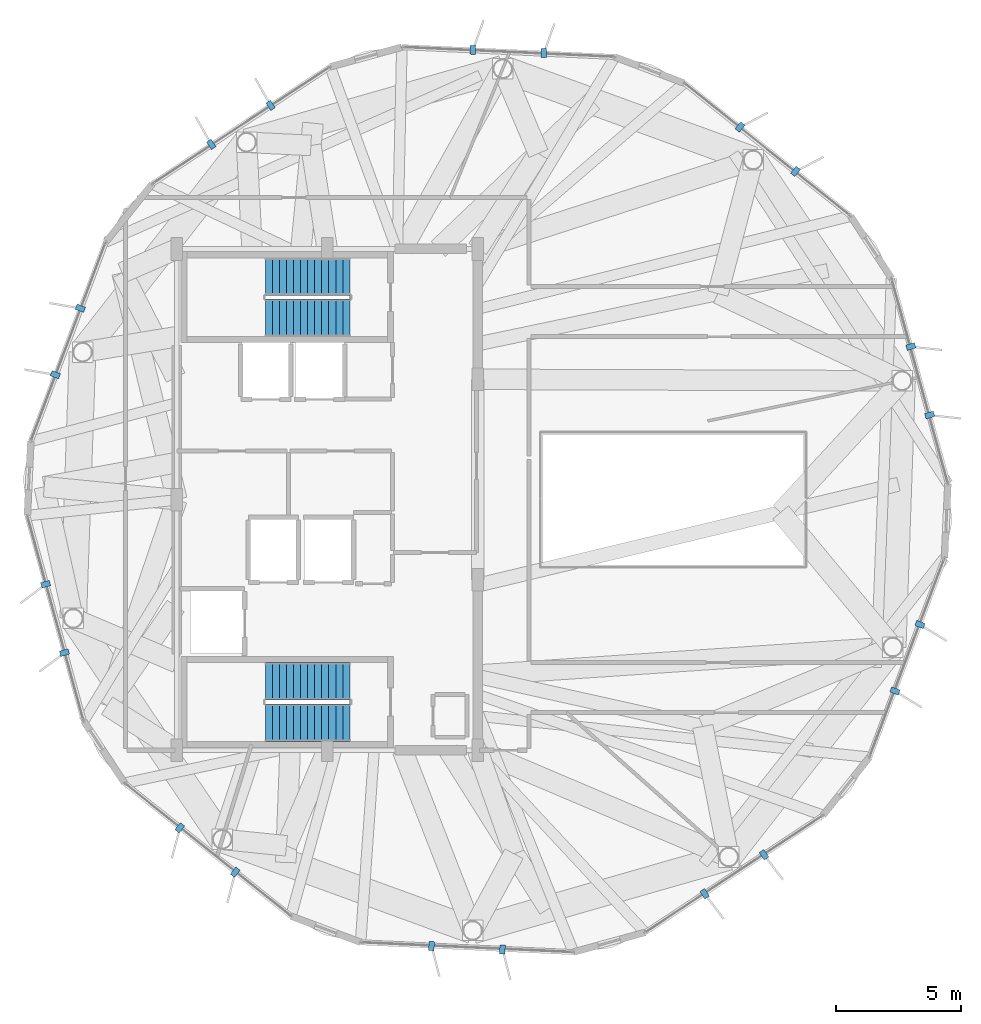
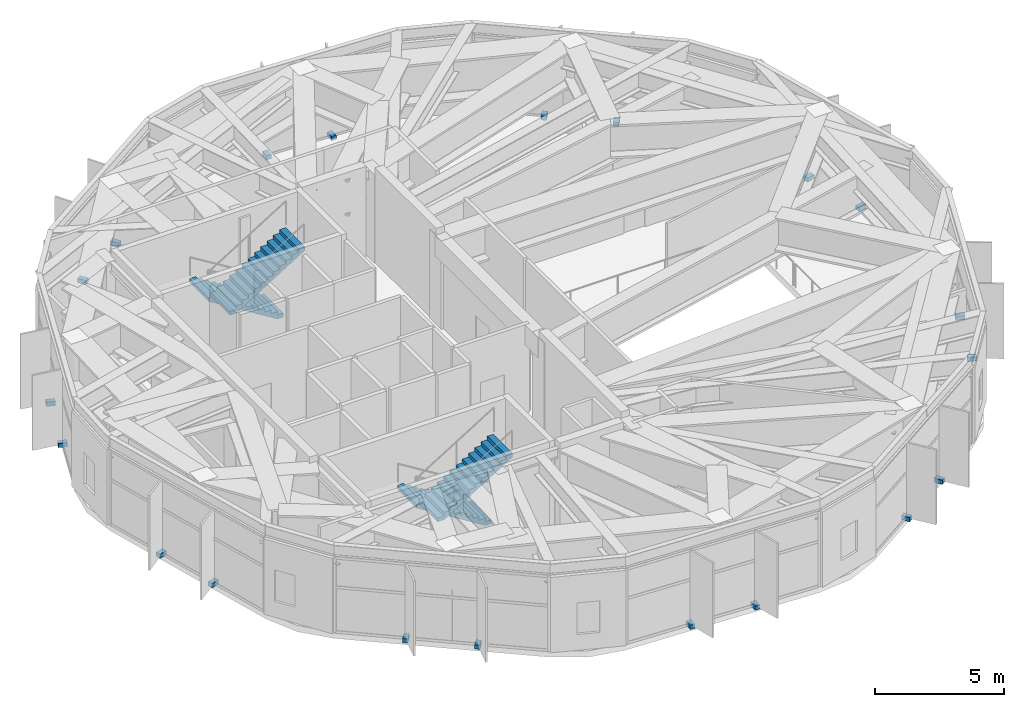
# One storey, part 24 of 27: 20 discrete accessories, 4 stair flights, 2 elements without a shape of their own.
"""IFC4 building model written with IfcOpenShell, lengths in metres."""

from ifc_helpers import new_model, si_unit, direction, frame, origin, origin_2d, place, context, subcontext, project, spatial, polyline, rectangle, outline, extrude, material, layer, layer_set, type_object, element, aggregate, save


model = new_model("IFC4")

# Units and contexts
model_context = context("Model", 3, precision=1e-05, world=origin(), true_north=direction((0.0, 1.0)))
body_context = subcontext(model_context, "Body", "Model", "MODEL_VIEW")
ifc_project = project(units=[si_unit("LENGTHUNIT", "METRE"), si_unit("AREAUNIT", "SQUARE_METRE"), si_unit("VOLUMEUNIT", "CUBIC_METRE"), si_unit("PLANEANGLEUNIT", "RADIAN"), si_unit("MASSUNIT", "GRAM", prefix="KILO")], contexts=[model_context])

# Site, building, storey
site_placement = place(None, origin())
site = spatial("IfcSite", under=ifc_project, at=site_placement, CompositionType="ELEMENT")
building_placement = place(site_placement, origin())
building = spatial("IfcBuilding", under=site, at=building_placement, Name="Soratama Intermodal Tower", CompositionType="ELEMENT")
storey_placement = place(building_placement, frame((0.0, 0.0, 288.550048828125)))
storey = spatial("IfcBuildingStorey", under=building, at=storey_placement, Name="L73", CompositionType="ELEMENT", Elevation=288.550048828125)

# Stair, stair flights
ifc_material_1 = material(Name="Concrete f'c 42 MPa", Category="concrete")
stair_type = type_object("IfcStairType", Name="ST-CORE-DOGLEG", PredefinedType="HALF_TURN_STAIR", material=ifc_material_1)
stair_1_placement = place(storey_placement, origin())
stair_1 = element("IfcStair", 1, at=stair_1_placement, inside=storey, type_object=stair_type, Name="L73 ST-1", PredefinedType="HALF_TURN_STAIR")
ifc_material_2 = material(Name="Precast concrete f'c 40 MPa", Category="concrete")
ifc_layer = layer(ifc_material_2, 0.199951171875)
ifc_layer_set = layer_set([ifc_layer], Name="Precast concrete f'c 40 MPa")
stair_flight_type = type_object("IfcStairFlightType", Name="SF-FLIGHT-RC", PredefinedType="STRAIGHT", material=ifc_layer_set)
stair_flight_1_placement = place(storey_placement, frame((39.5, 17.75, 0.0), z_axis=(0.0, 0.0, 1.0), x_axis=(-1.0, 0.0, 0.0)))
stair_flight_1 = element("IfcStairFlight", 2, at=stair_flight_1_placement, type_object=stair_flight_type, Name="ST-1 flight 1", NumberOfRisers=13, NumberOfTreads=12, PredefinedType="STRAIGHT", RiserHeight=0.173076923, TreadLength=0.28, context=body_context, shape_type="SweptSolid", body=[
    extrude(outline(polyline([(0.0, 0.0), (0.0, 0.173095703125), (0.280029296875, 0.173095703125), (0.280029296875, 0.34619140625), (0.56005859375, 0.34619140625), (0.56005859375, 0.519287109375), (0.840087890625, 0.519287109375), (0.840087890625, 0.6923828125), (1.1201171875, 0.6923828125), (1.1201171875, 0.865478515625), (1.39990234375, 0.865478515625), (1.39990234375, 1.03857421875), (1.679931640625, 1.03857421875), (1.679931640625, 1.21142578125), (1.9599609375, 1.21142578125), (1.9599609375, 1.384521484375), (2.239990234375, 1.384521484375), (2.239990234375, 1.5576171875), (2.52001953125, 1.5576171875), (2.52001953125, 1.730712890625), (2.800048828125, 1.730712890625), (2.800048828125, 1.90380859375), (3.080078125, 1.90380859375), (3.080078125, 2.076904296875), (3.360107421875, 2.076904296875), (3.360107421875, 2.25), (3.360107421875, 1.900634765625), (0.28515625, 0.0), (0.0, 0.0)])), frame((0.0, 0.75, 0.0), z_axis=(0.0, -1.0, 0.0), x_axis=(1.0, 0.0, 0.0)), (0.0, 0.0, 1.0), 1.5),
])
stair_flight_2_placement = place(storey_placement, frame((36.139892578125, 16.10009765625, 2.25), z_axis=(0.0, 0.0, 1.0), x_axis=(1.0, 0.0, 0.0)))
stair_flight_2 = element("IfcStairFlight", 3, at=stair_flight_2_placement, type_object=stair_flight_type, Name="ST-1 flight 2", NumberOfRisers=13, NumberOfTreads=12, PredefinedType="STRAIGHT", RiserHeight=0.173076923, TreadLength=0.28, context=body_context, shape_type="SweptSolid", body=[
    extrude(outline(polyline([(0.0, 0.0), (0.0, 0.173095703125), (0.280029296875, 0.173095703125), (0.280029296875, 0.34619140625), (0.56005859375, 0.34619140625), (0.56005859375, 0.519287109375), (0.840087890625, 0.519287109375), (0.840087890625, 0.6923828125), (1.1201171875, 0.6923828125), (1.1201171875, 0.865478515625), (1.39990234375, 0.865478515625), (1.39990234375, 1.03857421875), (1.679931640625, 1.03857421875), (1.679931640625, 1.21142578125), (1.9599609375, 1.21142578125), (1.9599609375, 1.384521484375), (2.239990234375, 1.384521484375), (2.239990234375, 1.5576171875), (2.52001953125, 1.5576171875), (2.52001953125, 1.730712890625), (2.800048828125, 1.730712890625), (2.800048828125, 1.90380859375), (3.080078125, 1.90380859375), (3.080078125, 2.076904296875), (3.360107421875, 2.076904296875), (3.360107421875, 2.25), (3.360107421875, 1.900634765625), (0.28515625, 0.0), (0.0, 0.0)])), frame((0.0, 0.75, 0.0), z_axis=(0.0, -1.0, 0.0), x_axis=(1.0, 0.0, 0.0)), (0.0, 0.0, 1.0), 1.5),
])
aggregate(stair_1, [stair_flight_1, stair_flight_2])

stair_2_placement = place(storey_placement, origin())
stair_2 = element("IfcStair", 4, at=stair_2_placement, inside=storey, type_object=stair_type, Name="L73 ST-2", PredefinedType="HALF_TURN_STAIR")
stair_flight_3_placement = place(storey_placement, frame((39.5, 33.89990234375, 0.0), z_axis=(0.0, 0.0, 1.0), x_axis=(-1.0, 0.0, 0.0)))
stair_flight_3 = element("IfcStairFlight", 5, at=stair_flight_3_placement, type_object=stair_flight_type, Name="ST-2 flight 1", NumberOfRisers=13, NumberOfTreads=12, PredefinedType="STRAIGHT", RiserHeight=0.173076923, TreadLength=0.28, context=body_context, shape_type="SweptSolid", body=[
    extrude(outline(polyline([(0.0, 0.0), (0.0, 0.173095703125), (0.280029296875, 0.173095703125), (0.280029296875, 0.34619140625), (0.56005859375, 0.34619140625), (0.56005859375, 0.519287109375), (0.840087890625, 0.519287109375), (0.840087890625, 0.6923828125), (1.1201171875, 0.6923828125), (1.1201171875, 0.865478515625), (1.39990234375, 0.865478515625), (1.39990234375, 1.03857421875), (1.679931640625, 1.03857421875), (1.679931640625, 1.21142578125), (1.9599609375, 1.21142578125), (1.9599609375, 1.384521484375), (2.239990234375, 1.384521484375), (2.239990234375, 1.5576171875), (2.52001953125, 1.5576171875), (2.52001953125, 1.730712890625), (2.800048828125, 1.730712890625), (2.800048828125, 1.90380859375), (3.080078125, 1.90380859375), (3.080078125, 2.076904296875), (3.360107421875, 2.076904296875), (3.360107421875, 2.25), (3.360107421875, 1.900634765625), (0.28515625, 0.0), (0.0, 0.0)])), frame((0.0, 0.75, 0.0), z_axis=(0.0, -1.0, 0.0), x_axis=(1.0, 0.0, 0.0)), (0.0, 0.0, 1.0), 1.5),
])
stair_flight_4_placement = place(storey_placement, frame((36.139892578125, 32.25, 2.25), z_axis=(0.0, 0.0, 1.0), x_axis=(1.0, 0.0, 0.0)))
stair_flight_4 = element("IfcStairFlight", 6, at=stair_flight_4_placement, type_object=stair_flight_type, Name="ST-2 flight 2", NumberOfRisers=13, NumberOfTreads=12, PredefinedType="STRAIGHT", RiserHeight=0.173076923, TreadLength=0.28, context=body_context, shape_type="SweptSolid", body=[
    extrude(outline(polyline([(0.0, 0.0), (0.0, 0.173095703125), (0.280029296875, 0.173095703125), (0.280029296875, 0.34619140625), (0.56005859375, 0.34619140625), (0.56005859375, 0.519287109375), (0.840087890625, 0.519287109375), (0.840087890625, 0.6923828125), (1.1201171875, 0.6923828125), (1.1201171875, 0.865478515625), (1.39990234375, 0.865478515625), (1.39990234375, 1.03857421875), (1.679931640625, 1.03857421875), (1.679931640625, 1.21142578125), (1.9599609375, 1.21142578125), (1.9599609375, 1.384521484375), (2.239990234375, 1.384521484375), (2.239990234375, 1.5576171875), (2.52001953125, 1.5576171875), (2.52001953125, 1.730712890625), (2.800048828125, 1.730712890625), (2.800048828125, 1.90380859375), (3.080078125, 1.90380859375), (3.080078125, 2.076904296875), (3.360107421875, 2.076904296875), (3.360107421875, 2.25), (3.360107421875, 1.900634765625), (0.28515625, 0.0), (0.0, 0.0)])), frame((0.0, 0.75, 0.0), z_axis=(0.0, -1.0, 0.0), x_axis=(1.0, 0.0, 0.0)), (0.0, 0.0, 1.0), 1.5),
])
aggregate(stair_2, [stair_flight_3, stair_flight_4])

# Discrete accessories
ifc_material_3 = material(Name="Structural steel ASTM A992 Grade 50", Category="steel")
discrete_accessory_type = type_object("IfcDiscreteAccessoryType", Name="AC-FIN-BRACKET", PredefinedType="BRACKET", material=ifc_material_3)
for number, where, z_axis, x_axis, name in (
    (7, (47.239501953125, 42.815673828125, -0.080078125), (0.0, 0.0, 1.0), (0.046060390041, 0.99893865701, 0.0), "L73 Fin Bracket F01-1"),
    (8, (44.409423828125, 42.946044921875, -0.080078125), (0.0, 0.0, 1.0), (0.046060390041, 0.99893865701, 0.0), "L73 Fin Bracket F01-2"),
    (9, (36.340087890625, 40.7294921875, -0.080078125), (0.0, 0.0, 1.0), (-0.549897772225, 0.83523196784, 0.0), "L73 Fin Bracket F02-1"),
    (10, (33.9736328125, 39.17138671875, -0.080078125), (0.0, 0.0, 1.0), (-0.549897772225, 0.83523196784, 0.0), "L73 Fin Bracket F02-2"),
    (11, (28.74853515625, 32.63525390625, -0.080078125), (0.0, 0.0, 1.0), (-0.935813675838, 0.352495055446, 0.0), "L73 Fin Bracket F03-1"),
    (12, (27.749755859375, 29.98388671875, -0.080078125), (0.0, 0.0, 1.0), (-0.935813675838, 0.352495055446, 0.0), "L73 Fin Bracket F03-2"),
    (13, (27.3642578125, 21.62451171875, -0.080078125), (0.0, 0.0, 1.0), (-0.964280562419, -0.264882987263, 0.0), "L73 Fin Bracket F04-1"),
    (14, (28.11474609375, 18.892578125, -0.080078125), (0.0, 0.0, 1.0), (-0.964280562419, -0.264882987263, 0.0), "L73 Fin Bracket F04-2"),
    (15, (32.71630859375, 11.9033203125, -0.080078125), (0.0, 0.0, 1.0), (-0.624425048846, -0.781084731878, 0.0), "L73 Fin Bracket F05-1"),
    (16, (34.929443359375, 10.134033203125, -0.080078125), (0.0, 0.0, 1.0), (-0.624425048846, -0.781084731878, 0.0), "L73 Fin Bracket F05-2"),
    (17, (42.760498046875, 7.184326171875, -0.080078125), (0.0, 0.0, 1.0), (-0.046060390041, -0.99893865701, 0.0), "L73 Fin Bracket F06-1"),
    (18, (45.590576171875, 7.053955078125, -0.080078125), (0.0, 0.0, 1.0), (-0.046060390041, -0.99893865701, 0.0), "L73 Fin Bracket F06-2"),
    (19, (53.659912109375, 9.2705078125, -0.080078125), (0.0, 0.0, 1.0), (0.549897772225, -0.83523196784, 0.0), "L73 Fin Bracket F07-1"),
    (20, (56.0263671875, 10.82861328125, -0.080078125), (0.0, 0.0, 1.0), (0.549897772225, -0.83523196784, 0.0), "L73 Fin Bracket F07-2"),
    (21, (61.25146484375, 17.36474609375, -0.080078125), (0.0, 0.0, 1.0), (0.935813675838, -0.352495055446, 0.0), "L73 Fin Bracket F08-1"),
    (22, (62.250244140625, 20.01611328125, -0.080078125), (0.0, 0.0, 1.0), (0.935813675838, -0.352495055446, 0.0), "L73 Fin Bracket F08-2"),
    (23, (62.6357421875, 28.37548828125, -0.080078125), (0.0, 0.0, 1.0), (0.964280562419, 0.264882987263, 0.0), "L73 Fin Bracket F09-1"),
    (24, (61.88525390625, 31.107421875, -0.080078125), (0.0, 0.0, 1.0), (0.964280562419, 0.264882987263, 0.0), "L73 Fin Bracket F09-2"),
    (25, (57.28369140625, 38.0966796875, -0.080078125), (0.0, 0.0, 1.0), (0.624425048846, 0.781084731878, 0.0), "L73 Fin Bracket F10-1"),
    (26, (55.070556640625, 39.865966796875, -0.080078125), (0.0, 0.0, 1.0), (0.624425048846, 0.781084731878, 0.0), "L73 Fin Bracket F10-2"),
):
    element("IfcDiscreteAccessory", number, at=place(storey_placement, frame(where, z_axis=z_axis, x_axis=x_axis)), inside=storey, type_object=discrete_accessory_type, Name=name, PredefinedType="BRACKET", context=body_context, shape_type="SweptSolid", body=[
        extrude(rectangle(XDim=0.360107421875, YDim=0.219970703125, at=origin_2d()), origin(), (0.0, 0.0, 1.0), 0.199951171875),
    ])

save(model, "model.ifc")
